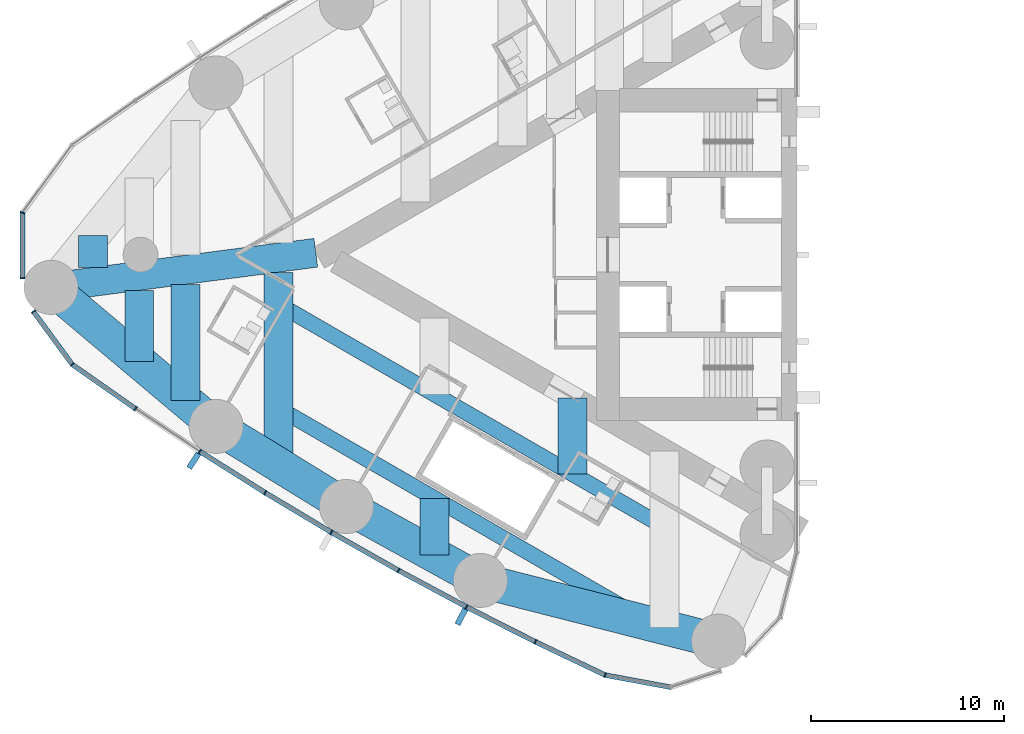
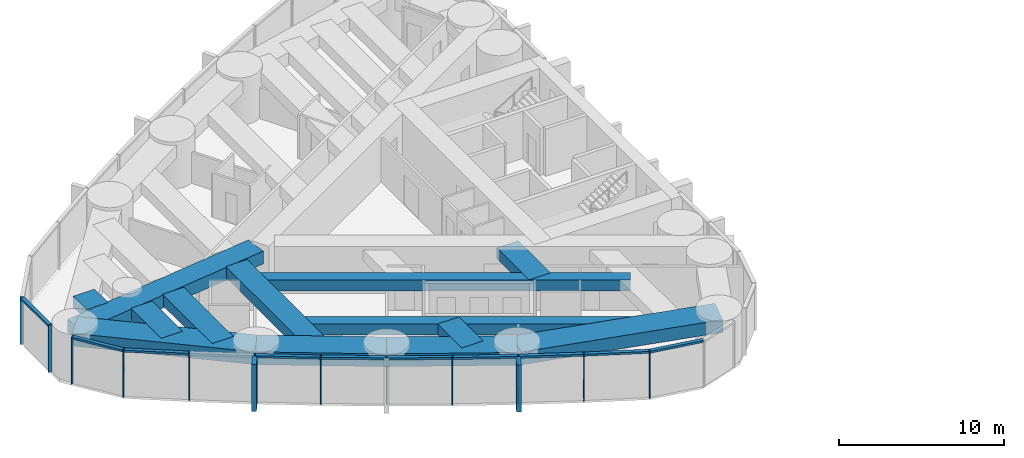
# One storey, part 2 of 19: 24 members, 13 beams, 2 elements without a shape of their own.
"""IFC4 building model written with IfcOpenShell, lengths in metres."""

from ifc_helpers import new_model, si_unit, direction, frame, origin, origin_2d, place, context, subcontext, project, spatial, rectangle, hollow_rectangle, extrude, material, material_profile, profile_set, type_object, element, aggregate, save


model = new_model("IFC4")

# Units and contexts
model_context = context("Model", 3, precision=1e-05, world=origin(), true_north=direction((0.0, 1.0)))
body_context = subcontext(model_context, "Body", "Model", "MODEL_VIEW")
ifc_project = project(units=[si_unit("LENGTHUNIT", "METRE"), si_unit("AREAUNIT", "SQUARE_METRE"), si_unit("VOLUMEUNIT", "CUBIC_METRE"), si_unit("PLANEANGLEUNIT", "RADIAN"), si_unit("MASSUNIT", "GRAM", prefix="KILO")], contexts=[model_context])

# Site, building, storey
site_placement = place(None, origin())
site = spatial("IfcSite", under=ifc_project, at=site_placement, CompositionType="ELEMENT")
building_placement = place(site_placement, origin())
building = spatial("IfcBuilding", under=site, at=building_placement, Name="Lancet Gate Hotel", CompositionType="ELEMENT")
storey_placement = place(building_placement, frame((0.0, 0.0, 194.800048828125)))
storey = spatial("IfcBuildingStorey", under=building, at=storey_placement, Name="L52", CompositionType="ELEMENT", Elevation=194.800048828125)

# Curtain wall, members
ifc_material_1 = material(Name="Aluminium curtain wall", Category="aluminium")
curtain_wall_type = type_object("IfcCurtainWallType", Name="Tower unitised curtain wall", PredefinedType="USERDEFINED", material=ifc_material_1)
curtain_wall_1_placement = place(storey_placement, origin())
curtain_wall_1 = element("IfcCurtainWall", 1, at=curtain_wall_1_placement, inside=storey, type_object=curtain_wall_type, Name="T1 L52 curtain wall 2", ObjectType="UNITISED CURTAIN WALL", PredefinedType="USERDEFINED")
ifc_material_2 = material(Name="Aluminium mullion", Category="aluminium")
ifc_material_profile_1 = material_profile(ifc_material_2, rectangle(XDim=0.06494140625, YDim=0.25, at=origin_2d()), Name="MULLION 65x250")
ifc_profile_set_1 = profile_set([ifc_material_profile_1], Name="Aluminium mullion")
member_type_1 = type_object("IfcMemberType", Name="Aluminium mullion 65x250", PredefinedType="MULLION", material=ifc_profile_set_1)
member_1_placement = place(storey_placement, frame((-67.61572265625, 2.177490234375, 0.0), z_axis=(0.0, 0.0, 1.0), x_axis=(-0.349199411078, -0.937048435943, 0.0)))
member_1 = element("IfcMember", 2, at=member_1_placement, type_object=member_type_1, Name="T1 L52 curtain wall 2 mullion 12", PredefinedType="MULLION", context=body_context, shape_type="SweptSolid", body=[
    extrude(rectangle(XDim=0.06494140625, YDim=0.25, at=origin_2d()), origin(), (0.0, 0.0, 1.0), 3.5),
])
member_2_placement = place(storey_placement, frame((-67.61572265625, -1.220458984375, 0.0), z_axis=(0.0, 0.0, 1.0), x_axis=(0.0, -1.0, 0.0)))
member_2 = element("IfcMember", 3, at=member_2_placement, type_object=member_type_1, Name="T1 L52 curtain wall 2 mullion 13", PredefinedType="MULLION", context=body_context, shape_type="SweptSolid", body=[
    extrude(rectangle(XDim=0.06494140625, YDim=0.25, at=origin_2d()), origin(), (0.0, 0.0, 1.0), 3.5),
])

curtain_wall_2_placement = place(storey_placement, origin())
curtain_wall_2 = element("IfcCurtainWall", 4, at=curtain_wall_2_placement, inside=storey, type_object=curtain_wall_type, Name="T1 L52 curtain wall 3", ObjectType="UNITISED CURTAIN WALL", PredefinedType="USERDEFINED")
member_3_placement = place(storey_placement, frame((-67.05029296875, -2.948486328125, 0.0), z_axis=(0.0, 0.0, 1.0), x_axis=(0.591299785592, -0.806451835858, 0.0)))
member_3 = element("IfcMember", 5, at=member_3_placement, type_object=member_type_1, Name="T1 L52 curtain wall 3 mullion 1", PredefinedType="MULLION", context=body_context, shape_type="SweptSolid", body=[
    extrude(rectangle(XDim=0.06494140625, YDim=0.25, at=origin_2d()), origin(), (0.0, 0.0, 1.0), 3.5),
])
member_4_placement = place(storey_placement, frame((-65.040283203125, -5.68994140625, 0.0), z_axis=(0.0, 0.0, 1.0), x_axis=(0.724381882759, -0.689398932354, 0.0)))
member_4 = element("IfcMember", 6, at=member_4_placement, type_object=member_type_1, Name="T1 L52 curtain wall 3 mullion 2", PredefinedType="MULLION", context=body_context, shape_type="SweptSolid", body=[
    extrude(rectangle(XDim=0.06494140625, YDim=0.25, at=origin_2d()), origin(), (0.0, 0.0, 1.0), 3.5),
])
member_5_placement = place(storey_placement, frame((-61.7626953125, -7.980712890625, 0.0), z_axis=(0.0, 0.0, 1.0), x_axis=(0.826312172542, -0.563212387568, 0.0)))
member_5 = element("IfcMember", 7, at=member_5_placement, type_object=member_type_1, Name="T1 L52 curtain wall 3 mullion 3", PredefinedType="MULLION", context=body_context, shape_type="SweptSolid", body=[
    extrude(rectangle(XDim=0.06494140625, YDim=0.25, at=origin_2d()), origin(), (0.0, 0.0, 1.0), 3.5),
])
member_6_placement = place(storey_placement, frame((-58.43212890625, -10.194091796875, 0.0), z_axis=(0.0, 0.0, 1.0), x_axis=(0.839331119324, -0.54362052218, 0.0)))
member_6 = element("IfcMember", 8, at=member_6_placement, type_object=member_type_1, Name="T1 L52 curtain wall 3 mullion 4", PredefinedType="MULLION", context=body_context, shape_type="SweptSolid", body=[
    extrude(rectangle(XDim=0.06494140625, YDim=0.25, at=origin_2d()), origin(), (0.0, 0.0, 1.0), 3.5),
])
member_7_placement = place(storey_placement, frame((-55.05029296875, -12.328369140625, 0.0), z_axis=(0.0, 0.0, 1.0), x_axis=(0.851885635531, -0.52372785297, 0.0)))
member_7 = element("IfcMember", 9, at=member_7_placement, type_object=member_type_1, Name="T1 L52 curtain wall 3 mullion 5", PredefinedType="MULLION", context=body_context, shape_type="SweptSolid", body=[
    extrude(rectangle(XDim=0.06494140625, YDim=0.25, at=origin_2d()), origin(), (0.0, 0.0, 1.0), 3.5),
])
member_8_placement = place(storey_placement, frame((-51.619384765625, -14.38232421875, 0.0), z_axis=(0.0, 0.0, 1.0), x_axis=(0.863968774311, -0.503545387245, 0.0)))
member_8 = element("IfcMember", 10, at=member_8_placement, type_object=member_type_1, Name="T1 L52 curtain wall 3 mullion 6", PredefinedType="MULLION", context=body_context, shape_type="SweptSolid", body=[
    extrude(rectangle(XDim=0.06494140625, YDim=0.25, at=origin_2d()), origin(), (0.0, 0.0, 1.0), 3.5),
])
member_9_placement = place(storey_placement, frame((-48.140869140625, -16.355224609375, 0.0), z_axis=(0.0, 0.0, 1.0), x_axis=(0.87557384965, -0.483084292654, 0.0)))
member_9 = element("IfcMember", 11, at=member_9_placement, type_object=member_type_1, Name="T1 L52 curtain wall 3 mullion 7", PredefinedType="MULLION", context=body_context, shape_type="SweptSolid", body=[
    extrude(rectangle(XDim=0.06494140625, YDim=0.25, at=origin_2d()), origin(), (0.0, 0.0, 1.0), 3.5),
])
member_10_placement = place(storey_placement, frame((-44.6171875, -18.245849609375, 0.0), z_axis=(0.0, 0.0, 1.0), x_axis=(0.886694440064, -0.462355891019, 0.0)))
member_10 = element("IfcMember", 12, at=member_10_placement, type_object=member_type_1, Name="T1 L52 curtain wall 3 mullion 8", PredefinedType="MULLION", context=body_context, shape_type="SweptSolid", body=[
    extrude(rectangle(XDim=0.06494140625, YDim=0.25, at=origin_2d()), origin(), (0.0, 0.0, 1.0), 3.5),
])
member_11_placement = place(storey_placement, frame((-41.0498046875, -20.052978515625, 0.0), z_axis=(0.0, 0.0, 1.0), x_axis=(0.897324392142, -0.441371652088, 0.0)))
member_11 = element("IfcMember", 13, at=member_11_placement, type_object=member_type_1, Name="T1 L52 curtain wall 3 mullion 9", PredefinedType="MULLION", context=body_context, shape_type="SweptSolid", body=[
    extrude(rectangle(XDim=0.06494140625, YDim=0.25, at=origin_2d()), origin(), (0.0, 0.0, 1.0), 3.5),
])
member_12_placement = place(storey_placement, frame((-37.44091796875, -21.775634765625, 0.0), z_axis=(0.0, 0.0, 1.0), x_axis=(0.948119321052, -0.317914694609, 0.0)))
member_12 = element("IfcMember", 14, at=member_12_placement, type_object=member_type_1, Name="T1 L52 curtain wall 3 mullion 10", PredefinedType="MULLION", context=body_context, shape_type="SweptSolid", body=[
    extrude(rectangle(XDim=0.06494140625, YDim=0.25, at=origin_2d()), origin(), (0.0, 0.0, 1.0), 3.5),
])

# Member
ifc_material_3 = material(Name="Aluminium transom", Category="aluminium")
ifc_material_profile_2 = material_profile(ifc_material_3, rectangle(XDim=0.25, YDim=0.14990234375, at=origin_2d()), Name="TRANSOM 250x150")
ifc_profile_set_2 = profile_set([ifc_material_profile_2], Name="Aluminium transom")
member_type_2 = type_object("IfcMemberType", Name="Aluminium transom 250x150", PredefinedType="USERDEFINED", material=ifc_profile_set_2)
member_13_placement = place(storey_placement, frame((-67.61572265625, 2.14501953125, 3.425048828125), z_axis=(0.0, -1.0, 0.0), x_axis=(1.0, 0.0, 0.0)))
member_13 = element("IfcMember", 15, at=member_13_placement, type_object=member_type_2, Name="T1 L52 curtain wall 2 transom 12", ObjectType="TRANSOM", PredefinedType="USERDEFINED", context=body_context, shape_type="SweptSolid", body=[
    extrude(rectangle(XDim=0.25, YDim=0.14990234375, at=origin_2d()), origin(), (0.0, 0.0, 1.0), 3.3330078125),
])

aggregate(curtain_wall_1, [member_1, member_2, member_13])

member_14_placement = place(storey_placement, frame((-67.031005859375, -2.974853515625, 3.425048828125), z_axis=(0.591306519832, -0.806446898193, 0.0), x_axis=(0.806446898193, 0.591306519832, 0.0)))
member_14 = element("IfcMember", 16, at=member_14_placement, type_object=member_type_2, Name="T1 L52 curtain wall 3 transom 1", ObjectType="TRANSOM", PredefinedType="USERDEFINED", context=body_context, shape_type="SweptSolid", body=[
    extrude(rectangle(XDim=0.25, YDim=0.14990234375, at=origin_2d()), origin(), (0.0, 0.0, 1.0), 3.333984375),
])

member_15_placement = place(storey_placement, frame((-65.013671875, -5.70849609375, 3.425048828125), z_axis=(0.819636985462, -0.572883244704, 0.0), x_axis=(0.572883244704, 0.819636985462, 0.0)))
member_15 = element("IfcMember", 17, at=member_15_placement, type_object=member_type_2, Name="T1 L52 curtain wall 3 transom 2", ObjectType="TRANSOM", PredefinedType="USERDEFINED", context=body_context, shape_type="SweptSolid", body=[
    extrude(rectangle(XDim=0.25, YDim=0.14990234375, at=origin_2d()), origin(), (0.0, 0.0, 1.0), 3.933837890625),
])

member_16_placement = place(storey_placement, frame((-58.40478515625, -10.21142578125, 3.425048828125), z_axis=(0.845671711095, -0.53370343549, 0.0), x_axis=(0.53370343549, 0.845671711095, 0.0)))
member_16 = element("IfcMember", 18, at=member_16_placement, type_object=member_type_2, Name="T1 L52 curtain wall 3 transom 4", ObjectType="TRANSOM", PredefinedType="USERDEFINED", context=body_context, shape_type="SweptSolid", body=[
    extrude(rectangle(XDim=0.25, YDim=0.14990234375, at=origin_2d()), origin(), (0.0, 0.0, 1.0), 3.93408203125),
])

member_17_placement = place(storey_placement, frame((-55.0224609375, -12.344970703125, 3.425048828125), z_axis=(0.857985365092, -0.513674131419, 0.0), x_axis=(0.513674131419, 0.857985365092, 0.0)))
member_17 = element("IfcMember", 19, at=member_17_placement, type_object=member_type_2, Name="T1 L52 curtain wall 3 transom 5", ObjectType="TRANSOM", PredefinedType="USERDEFINED", context=body_context, shape_type="SweptSolid", body=[
    extrude(rectangle(XDim=0.25, YDim=0.14990234375, at=origin_2d()), origin(), (0.0, 0.0, 1.0), 3.933837890625),
])

member_18_placement = place(storey_placement, frame((-51.591064453125, -14.3984375, 3.425048828125), z_axis=(0.869819807367, -0.493369539709, 0.0), x_axis=(0.493369539709, 0.869819807367, 0.0)))
member_18 = element("IfcMember", 20, at=member_18_placement, type_object=member_type_2, Name="T1 L52 curtain wall 3 transom 6", ObjectType="TRANSOM", PredefinedType="USERDEFINED", context=body_context, shape_type="SweptSolid", body=[
    extrude(rectangle(XDim=0.25, YDim=0.14990234375, at=origin_2d()), origin(), (0.0, 0.0, 1.0), 3.93408203125),
])

member_19_placement = place(storey_placement, frame((-48.1123046875, -16.37060546875, 3.425048828125), z_axis=(0.881185491994, -0.472770693571, 0.0), x_axis=(0.472770693571, 0.881185491994, 0.0)))
member_19 = element("IfcMember", 21, at=member_19_placement, type_object=member_type_2, Name="T1 L52 curtain wall 3 transom 7", ObjectType="TRANSOM", PredefinedType="USERDEFINED", context=body_context, shape_type="SweptSolid", body=[
    extrude(rectangle(XDim=0.25, YDim=0.14990234375, at=origin_2d()), origin(), (0.0, 0.0, 1.0), 3.93408203125),
])

member_20_placement = place(storey_placement, frame((-44.588134765625, -18.260498046875, 3.425048828125), z_axis=(0.892081477453, -0.451874581699, 0.0), x_axis=(0.451874581699, 0.892081477453, 0.0)))
member_20 = element("IfcMember", 22, at=member_20_placement, type_object=member_type_2, Name="T1 L52 curtain wall 3 transom 8", ObjectType="TRANSOM", PredefinedType="USERDEFINED", context=body_context, shape_type="SweptSolid", body=[
    extrude(rectangle(XDim=0.25, YDim=0.14990234375, at=origin_2d()), origin(), (0.0, 0.0, 1.0), 3.933837890625),
])

member_21_placement = place(storey_placement, frame((-41.0205078125, -20.06689453125, 3.425048828125), z_axis=(0.902468975385, -0.430754858902, 0.0), x_axis=(0.430754858902, 0.902468975385, 0.0)))
member_21 = element("IfcMember", 23, at=member_21_placement, type_object=member_type_2, Name="T1 L52 curtain wall 3 transom 9", ObjectType="TRANSOM", PredefinedType="USERDEFINED", context=body_context, shape_type="SweptSolid", body=[
    extrude(rectangle(XDim=0.25, YDim=0.14990234375, at=origin_2d()), origin(), (0.0, 0.0, 1.0), 3.93408203125),
])

member_22_placement = place(storey_placement, frame((-37.408935546875, -21.781494140625, 3.425048828125), z_axis=(0.983286757871, -0.182063592724, 0.0), x_axis=(0.182063592724, 0.983286757871, 0.0)))
member_22 = element("IfcMember", 24, at=member_22_placement, type_object=member_type_2, Name="T1 L52 curtain wall 3 transom 10", ObjectType="TRANSOM", PredefinedType="USERDEFINED", context=body_context, shape_type="SweptSolid", body=[
    extrude(rectangle(XDim=0.25, YDim=0.14990234375, at=origin_2d()), origin(), (0.0, 0.0, 1.0), 3.406005859375),
])

# Beams
ifc_material_4 = material(Name="Concrete C50/60", Category="concrete")
ifc_material_profile_3 = material_profile(ifc_material_4, rectangle(XDim=1.800048828125, YDim=0.949951171875, at=origin_2d()), Name="RC 1800x950")
ifc_profile_set_3 = profile_set([ifc_material_profile_3], Name="Concrete C50/60")
beam_type_1 = type_object("IfcBeamType", Name="Edge beam RC 1800x950", PredefinedType="SPANDREL", material=ifc_profile_set_3)
beam_1_placement = place(storey_placement, frame((-66.142578125, -1.6953125, 2.77490234375), z_axis=(0.765120708367, -0.64388687021, 0.0), x_axis=(0.64388687021, 0.765120708367, 0.0)))
element("IfcBeam", 25, at=beam_1_placement, inside=storey, type_object=beam_type_1, Name="T1 edge beam EB1 L52", PredefinedType="SPANDREL", context=body_context, shape_type="SweptSolid", body=[
    extrude(rectangle(XDim=1.800048828125, YDim=0.949951171875, at=origin_2d()), origin(), (0.0, 0.0, 1.0), 11.1787109375),
])
beam_2_placement = place(storey_placement, frame((-57.589599609375, -8.89306640625, 2.77490234375), z_axis=(0.851892008043, -0.523717487423, 0.0), x_axis=(0.523717487423, 0.851892008043, 0.0)))
element("IfcBeam", 26, at=beam_2_placement, inside=storey, type_object=beam_type_1, Name="T1 edge beam EB1 L52", PredefinedType="SPANDREL", context=body_context, shape_type="SweptSolid", body=[
    extrude(rectangle(XDim=1.800048828125, YDim=0.949951171875, at=origin_2d()), origin(), (0.0, 0.0, 1.0), 7.92431640625),
])
beam_3_placement = place(storey_placement, frame((-50.8388671875, -13.043212890625, 2.77490234375), z_axis=(0.875577684027, -0.483077342911, 0.0), x_axis=(0.483077342911, 0.875577684027, 0.0)))
element("IfcBeam", 27, at=beam_3_placement, inside=storey, type_object=beam_type_1, Name="T1 edge beam EB1 L52", PredefinedType="SPANDREL", context=body_context, shape_type="SweptSolid", body=[
    extrude(rectangle(XDim=1.800048828125, YDim=0.949951171875, at=origin_2d()), origin(), (0.0, 0.0, 1.0), 7.924560546875),
])
beam_4_placement = place(storey_placement, frame((-43.900390625, -16.871337890625, 2.77490234375), z_axis=(0.969008414312, -0.247027717052, 0.0), x_axis=(0.247027717052, 0.969008414312, 0.0)))
element("IfcBeam", 28, at=beam_4_placement, inside=storey, type_object=beam_type_1, Name="T1 edge beam EB1 L52", PredefinedType="SPANDREL", context=body_context, shape_type="SweptSolid", body=[
    extrude(rectangle(XDim=1.800048828125, YDim=0.949951171875, at=origin_2d()), origin(), (0.0, 0.0, 1.0), 12.7294921875),
])

# Member
ifc_material_5 = material(Name="Precast concrete C50/60", Category="concrete")
ifc_material_profile_4 = material_profile(ifc_material_5, rectangle(XDim=0.300048828125, YDim=0.89990234375, at=origin_2d()), Name="FIN 300x900")
ifc_profile_set_4 = profile_set([ifc_material_profile_4], Name="Precast concrete C50/60")
member_type_3 = type_object("IfcMemberType", Name="Exposed concrete fin 300x900", PredefinedType="USERDEFINED", material=ifc_profile_set_4)
member_23_placement = place(storey_placement, frame((-58.74462890625, -10.6767578125, 0.0), z_axis=(0.0, 0.0, 1.0), x_axis=(0.839331119324, -0.54362052218, 0.0)))
member_23 = element("IfcMember", 29, at=member_23_placement, type_object=member_type_3, Name="T1 L52 curtain wall 3 fin 4", ObjectType="FIN", PredefinedType="USERDEFINED", context=body_context, shape_type="SweptSolid", body=[
    extrude(rectangle(XDim=0.300048828125, YDim=0.89990234375, at=origin_2d()), origin(), (0.0, 0.0, 1.0), 3.5),
])

member_24_placement = place(storey_placement, frame((-44.883056640625, -18.755615234375, 0.0), z_axis=(0.0, 0.0, 1.0), x_axis=(0.886694440064, -0.462355891019, 0.0)))
member_24 = element("IfcMember", 30, at=member_24_placement, type_object=member_type_3, Name="T1 L52 curtain wall 3 fin 8", ObjectType="FIN", PredefinedType="USERDEFINED", context=body_context, shape_type="SweptSolid", body=[
    extrude(rectangle(XDim=0.300048828125, YDim=0.89990234375, at=origin_2d()), origin(), (0.0, 0.0, 1.0), 3.5),
])

aggregate(curtain_wall_2, [member_3, member_4, member_5, member_6, member_23, member_7, member_8, member_9, member_10, member_24, member_11, member_12, member_14, member_15, member_16, member_17, member_18, member_19, member_20, member_21, member_22])

# Beams
ifc_material_6 = material(Name="Concrete C50/60", Category="concrete")
ifc_material_profile_5 = material_profile(ifc_material_6, rectangle(XDim=1.5, YDim=0.800048828125, at=origin_2d()), Name="RC 1500x800")
ifc_profile_set_5 = profile_set([ifc_material_profile_5], Name="Concrete C50/60")
beam_type_2 = type_object("IfcBeamType", Name="Floor beam RC 1500x800", PredefinedType="BEAM", material=ifc_profile_set_5)
beam_5_placement = place(storey_placement, frame((-54.3681640625, -0.9130859375, 2.849853515625), z_axis=(0.0, -1.0, 0.0), x_axis=(1.0, 0.0, 0.0)))
element("IfcBeam", 31, at=beam_5_placement, inside=storey, type_object=beam_type_2, Name="T1 floor beam F11N L52", PredefinedType="BEAM", context=body_context, shape_type="SweptSolid", body=[
    extrude(rectangle(XDim=1.5, YDim=0.800048828125, at=origin_2d()), origin(), (0.0, 0.0, 1.0), 9.96044921875),
])
beam_6_placement = place(storey_placement, frame((-59.168212890625, -1.54052734375, 2.849853515625), z_axis=(0.0, -1.0, 0.0), x_axis=(1.0, 0.0, 0.0)))
element("IfcBeam", 32, at=beam_6_placement, inside=storey, type_object=beam_type_2, Name="T1 floor beam F13N L52", PredefinedType="BEAM", context=body_context, shape_type="SweptSolid", body=[
    extrude(rectangle(XDim=1.5, YDim=0.800048828125, at=origin_2d()), origin(), (0.0, 0.0, 1.0), 6.02392578125),
])
beam_7_placement = place(storey_placement, frame((-61.568359375, -1.85400390625, 2.849853515625), z_axis=(0.0, -1.0, 0.0), x_axis=(1.0, 0.0, 0.0)))
element("IfcBeam", 33, at=beam_7_placement, inside=storey, type_object=beam_type_2, Name="T1 floor beam F15N L52", PredefinedType="BEAM", context=body_context, shape_type="SweptSolid", body=[
    extrude(rectangle(XDim=1.5, YDim=0.800048828125, at=origin_2d()), origin(), (0.0, 0.0, 1.0), 3.69091796875),
])
beam_8_placement = place(storey_placement, frame((-63.96826171875, 0.996337890625, 2.849853515625), z_axis=(0.0, -1.0, 0.0), x_axis=(1.0, 0.0, 0.0)))
element("IfcBeam", 34, at=beam_8_placement, inside=storey, type_object=beam_type_2, Name="T1 floor beam F16S L52", PredefinedType="BEAM", context=body_context, shape_type="SweptSolid", body=[
    extrude(rectangle(XDim=1.5, YDim=0.800048828125, at=origin_2d()), origin(), (0.0, 0.0, 1.0), 1.6513671875),
])
beam_9_placement = place(storey_placement, frame((-39.122314453125, -7.41650390625, 2.849853515625), z_axis=(0.0, -1.0, 0.0), x_axis=(1.0, 0.0, 0.0)))
element("IfcBeam", 35, at=beam_9_placement, inside=storey, type_object=beam_type_2, Name="T1 floor beam F05NA L52", PredefinedType="BEAM", context=body_context, shape_type="SweptSolid", body=[
    extrude(rectangle(XDim=1.5, YDim=0.800048828125, at=origin_2d()), origin(), (0.0, 0.0, 1.0), 3.945556640625),
])
beam_10_placement = place(storey_placement, frame((-46.27587890625, -12.61962890625, 2.849853515625), z_axis=(0.0, -1.0, 0.0), x_axis=(1.0, 0.0, 0.0)))
element("IfcBeam", 36, at=beam_10_placement, inside=storey, type_object=beam_type_2, Name="T1 floor beam F08NB L52", PredefinedType="BEAM", context=body_context, shape_type="SweptSolid", body=[
    extrude(rectangle(XDim=1.5, YDim=0.800048828125, at=origin_2d()), origin(), (0.0, 0.0, 1.0), 2.941162109375),
])
ifc_material_7 = material(Name="Concrete C50/60", Category="concrete")
ifc_material_profile_6 = material_profile(ifc_material_7, rectangle(XDim=1.5, YDim=0.949951171875, at=origin_2d()), Name="RC 1500x950")
ifc_profile_set_6 = profile_set([ifc_material_profile_6], Name="Concrete C50/60")
beam_type_3 = type_object("IfcBeamType", Name="Radial floor beam RC 1500x950", PredefinedType="BEAM", material=ifc_profile_set_6)
beam_11_placement = place(storey_placement, frame((-66.142578125, -1.6953125, 2.77490234375), z_axis=(0.991571259053, 0.129562487702, 0.0), x_axis=(-0.129562487702, 0.991571259053, 0.0)))
element("IfcBeam", 37, at=beam_11_placement, inside=storey, type_object=beam_type_3, Name="T1 radial beam CA L52", PredefinedType="BEAM", context=body_context, shape_type="SweptSolid", body=[
    extrude(rectangle(XDim=1.5, YDim=0.949951171875, at=origin_2d()), origin(), (0.0, 0.0, 1.0), 13.8349609375),
])
ifc_material_8 = material(Name="Steel S460QL", Category="steel")
ifc_material_profile_7 = material_profile(ifc_material_8, hollow_rectangle(XDim=0.800048828125, YDim=0.800048828125, WallThickness=0.080078125, at=origin_2d()), Name="BOX 800x800x80")
ifc_profile_set_7 = profile_set([ifc_material_profile_7], Name="Steel S460QL")
beam_type_4 = type_object("IfcBeamType", Name="Trimmer beam BOX 800x800x80", PredefinedType="BEAM", material=ifc_profile_set_7)
beam_12_placement = place(storey_placement, frame((-34.353515625, -14.115234375, 2.849853515625), z_axis=(-0.866035353112, 0.499982766863, 0.0), x_axis=(-0.499982766863, -0.866035353112, 0.0)))
element("IfcBeam", 38, at=beam_12_placement, inside=storey, type_object=beam_type_4, Name="T1 trimmer beam TR01N L52", PredefinedType="BEAM", context=body_context, shape_type="SweptSolid", body=[
    extrude(hollow_rectangle(XDim=0.800048828125, YDim=0.800048828125, WallThickness=0.080078125, at=origin_2d()), origin(), (0.0, 0.0, 1.0), 23.110595703125),
])
beam_13_placement = place(storey_placement, frame((-34.966552734375, -19.14892578125, 2.849853515625), z_axis=(-0.866032239169, 0.499988160579, 0.0), x_axis=(-0.499988160579, -0.866032239169, 0.0)))
element("IfcBeam", 39, at=beam_13_placement, inside=storey, type_object=beam_type_4, Name="T1 trimmer beam TR02N L52", PredefinedType="BEAM", context=body_context, shape_type="SweptSolid", body=[
    extrude(hollow_rectangle(XDim=0.800048828125, YDim=0.800048828125, WallThickness=0.080078125, at=origin_2d()), origin(), (0.0, 0.0, 1.0), 22.40283203125),
])

save(model, "model.ifc")
